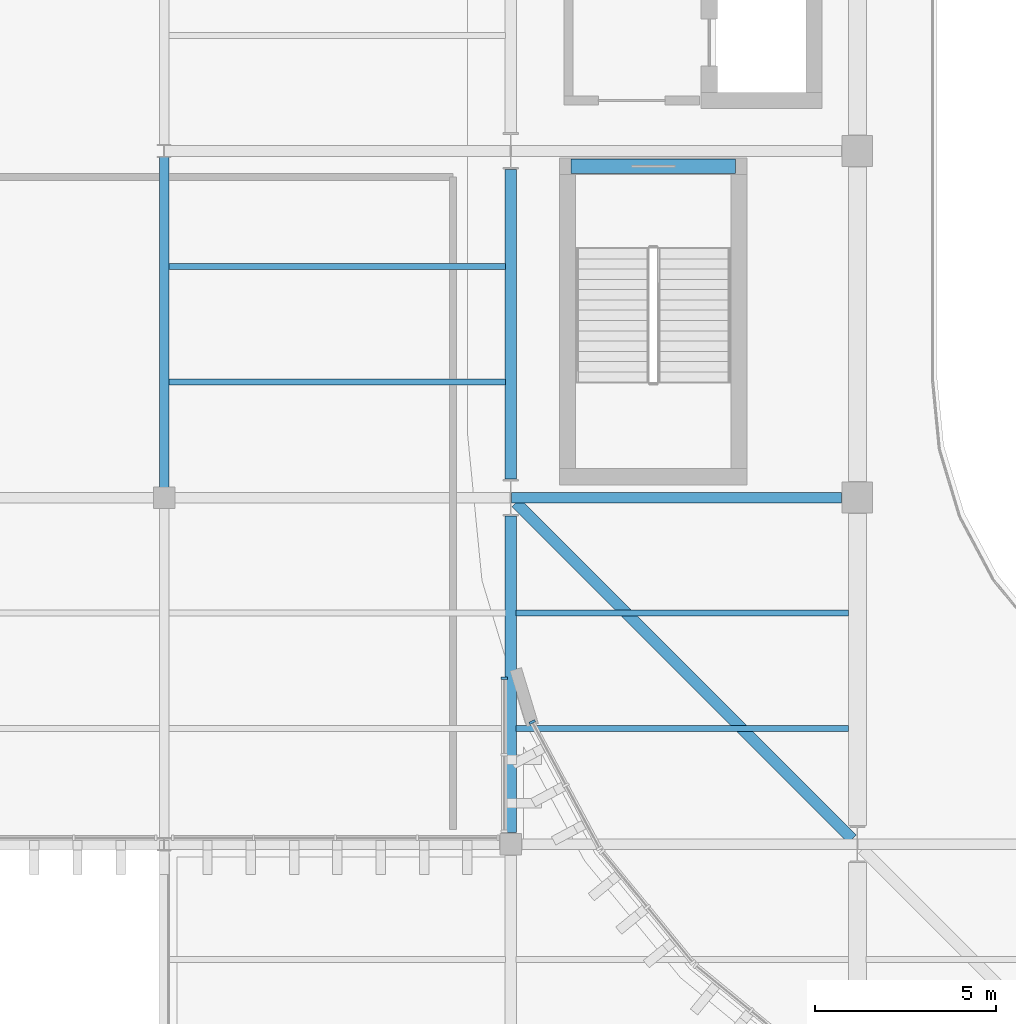
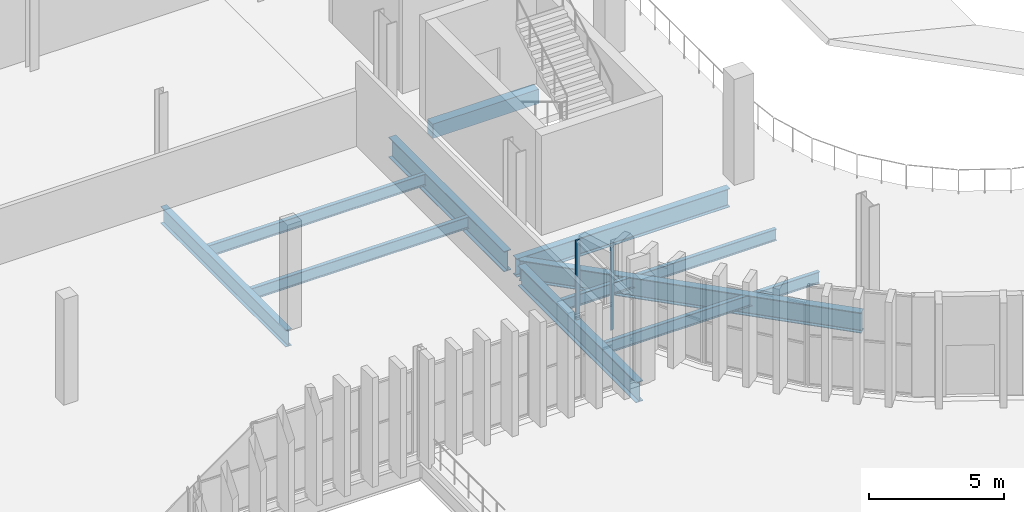
# One storey, part 19 of 99: 10 beams, 2 members, 2 elements without a shape of their own.
"""IFC4 building model written with IfcOpenShell, lengths in metres."""

from ifc_helpers import new_model, si_unit, direction, frame, origin, origin_2d, place, context, subcontext, project, spatial, rectangle, i_section, extrude, material, layer, layer_set, material_profile, profile_set, type_object, element, aggregate, save


model = new_model("IFC4")

# Units and contexts
model_context = context("Model", 3, precision=1e-05, world=origin(), true_north=direction((0.0, 1.0)))
body_context = subcontext(model_context, "Body", "Model", "MODEL_VIEW")
ifc_project = project(units=[si_unit("LENGTHUNIT", "METRE"), si_unit("AREAUNIT", "SQUARE_METRE"), si_unit("VOLUMEUNIT", "CUBIC_METRE"), si_unit("PLANEANGLEUNIT", "RADIAN"), si_unit("MASSUNIT", "GRAM", prefix="KILO")], contexts=[model_context])

# Site, building, storey
site_placement = place(None, origin())
site = spatial("IfcSite", under=ifc_project, at=site_placement, CompositionType="ELEMENT")
building_placement = place(site_placement, origin())
building = spatial("IfcBuilding", under=site, at=building_placement, Name="Caelomonte Colonnade Arena", CompositionType="ELEMENT")
storey_placement = place(building_placement, frame((0.0, 0.0, 4.800048828125)))
storey = spatial("IfcBuildingStorey", under=building, at=storey_placement, Name="L01", CompositionType="ELEMENT", Elevation=4.800048828125)

# Curtain wall, member
ifc_material_1 = material(Name="Bronze anodised aluminium and low-E glazing", Category="aluminium")
ifc_layer_1 = layer(ifc_material_1, 0.179931640625)
ifc_layer_set_1 = layer_set([ifc_layer_1], Name="Bronze anodised aluminium and low-E glazing")
curtain_wall_type_1 = type_object("IfcCurtainWallType", Name="ENV-CW-CW-L01-48-36", PredefinedType="USERDEFINED", material=ifc_layer_set_1)
curtain_wall_1_placement = place(storey_placement, origin())
curtain_wall_1 = element("IfcCurtainWall", 1, at=curtain_wall_1_placement, inside=storey, type_object=curtain_wall_type_1, Name="L01 unitized curtain wall CW-L01-0574-0312", ObjectType="UNITIZED CURTAIN WALL", PredefinedType="USERDEFINED")
ifc_material_2 = material(Name="Bronze anodised aluminium AA6063-T6", Category="aluminium")
ifc_material_profile_1 = material_profile(ifc_material_2, rectangle(XDim=0.070068359375, YDim=0.179931640625, at=origin_2d()), Name="CWM-70X180")
ifc_profile_set_1 = profile_set([ifc_material_profile_1], Name="Bronze anodised aluminium AA6063-T6")
member_type = type_object("IfcMemberType", Name="ENV-CW-MULL1", PredefinedType="MULLION", material=ifc_profile_set_1)
member_1_placement = place(storey_placement, frame((57.419921875, 33.400390625, 0.0), z_axis=(0.0, 0.0, 1.0), x_axis=(0.0, 1.0, 0.0)))
member_1 = element("IfcMember", 2, at=member_1_placement, type_object=member_type, Name="CW-L01-48-36 mullion 3", PredefinedType="MULLION", context=body_context, shape_type="SweptSolid", body=[
    extrude(rectangle(XDim=0.070068359375, YDim=0.179931640625, at=origin_2d()), origin(), (0.0, 0.0, 1.0), 3.593017578125),
])
aggregate(curtain_wall_1, [member_1])

ifc_layer_2 = layer(ifc_material_1, 0.179931640625)
ifc_layer_set_2 = layer_set([ifc_layer_2], Name="Bronze anodised aluminium and low-E glazing")
curtain_wall_type_2 = type_object("IfcCurtainWallType", Name="ENV-CW-CW-L01-44-38", PredefinedType="USERDEFINED", material=ifc_layer_set_2)
curtain_wall_2_placement = place(storey_placement, origin())
curtain_wall_2 = element("IfcCurtainWall", 3, at=curtain_wall_2_placement, inside=storey, type_object=curtain_wall_type_2, Name="L01 unitized curtain wall CW-L01-0591-0304", ObjectType="UNITIZED CURTAIN WALL", PredefinedType="USERDEFINED")
member_2_placement = place(storey_placement, frame((58.192626953125, 32.182373046875, 0.0), z_axis=(0.0, 0.0, 1.0), x_axis=(0.471394212466, -0.881922613642, 0.0)))
member_2 = element("IfcMember", 4, at=member_2_placement, type_object=member_type, Name="CW-L01-44-38 mullion 1", PredefinedType="MULLION", context=body_context, shape_type="SweptSolid", body=[
    extrude(rectangle(XDim=0.070068359375, YDim=0.179931640625, at=origin_2d()), origin(), (0.0, 0.0, 1.0), 3.758056640625),
])
aggregate(curtain_wall_2, [member_2])

# Beams
ifc_material_3 = material(Name="Wide-flange steel ASTM A992 Grade 50", Category="steel")
ifc_material_profile_2 = material_profile(ifc_material_3, i_section(OverallWidth=0.307861328125, OverallDepth=0.927001953125, WebThickness=0.019287109375, FlangeThickness=0.031982421875, FilletRadius=0.020263671875, at=origin_2d()), Name="W36X194")
ifc_profile_set_2 = profile_set([ifc_material_profile_2], Name="Wide-flange steel ASTM A992 Grade 50")
beam_type_1 = type_object("IfcBeamType", Name="STR-BM-EAVES2", PredefinedType="SPANDREL", material=ifc_profile_set_2)
beam_1_placement = place(storey_placement, frame((57.60009765625, 29.116943359375, -0.763427734375), z_axis=(0.0, 1.0, 0.0), x_axis=(-1.0, 0.0, 0.0)))
element("IfcBeam", 5, at=beam_1_placement, inside=storey, type_object=beam_type_1, Name="L01 girder BMY-L01-0576-0288", PredefinedType="SPANDREL", context=body_context, shape_type="SweptSolid", body=[
    extrude(i_section(OverallWidth=0.307861328125, OverallDepth=0.927001953125, WebThickness=0.019287109375, FlangeThickness=0.031982421875, FilletRadius=0.020263671875, at=origin_2d()), origin(), (0.0, 0.0, 1.0), 8.770263671875),
])
beam_2_placement = place(storey_placement, frame((57.60009765625, 38.91259765625, -0.763427734375), z_axis=(0.0, 1.0, 0.0), x_axis=(-1.0, 0.0, 0.0)))
element("IfcBeam", 6, at=beam_2_placement, inside=storey, type_object=beam_type_1, Name="L01 girder BMY-L01-0576-0384", PredefinedType="SPANDREL", context=body_context, shape_type="SweptSolid", body=[
    extrude(i_section(OverallWidth=0.307861328125, OverallDepth=0.927001953125, WebThickness=0.019287109375, FlangeThickness=0.031982421875, FilletRadius=0.020263671875, at=origin_2d()), origin(), (0.0, 0.0, 1.0), 8.57470703125),
])
beam_3_placement = place(storey_placement, frame((57.745361328125, 38.254638671875, -0.763427734375), z_axis=(0.707106781187, -0.707106781187, 0.0), x_axis=(0.707106781187, 0.707106781187, 0.0)))
element("IfcBeam", 7, at=beam_3_placement, inside=storey, type_object=beam_type_1, Name="L01 drum corner ring girder 1", PredefinedType="SPANDREL", context=body_context, shape_type="SweptSolid", body=[
    extrude(i_section(OverallWidth=0.307861328125, OverallDepth=0.927001953125, WebThickness=0.019287109375, FlangeThickness=0.031982421875, FilletRadius=0.020263671875, at=origin_2d()), origin(), (0.0, 0.0, 1.0), 13.165283203125),
])
ifc_material_profile_3 = material_profile(ifc_material_3, i_section(OverallWidth=0.2666015625, OverallDepth=0.761962890625, WebThickness=0.014404296875, FlangeThickness=0.021484375, FilletRadius=0.0166015625, at=origin_2d()), Name="W30X116")
ifc_profile_set_3 = profile_set([ifc_material_profile_3], Name="Wide-flange steel ASTM A992 Grade 50")
beam_type_2 = type_object("IfcBeamType", Name="STR-BM-GIRD30", PredefinedType="BEAM", material=ifc_profile_set_3)
beam_4_placement = place(storey_placement, frame((48.0, 38.54443359375, -0.68115234375), z_axis=(0.0, 1.0, 0.0), x_axis=(-1.0, 0.0, 0.0)))
element("IfcBeam", 8, at=beam_4_placement, inside=storey, type_object=beam_type_2, Name="L01 girder BMY-L01-0480-0384", PredefinedType="BEAM", context=body_context, shape_type="SweptSolid", body=[
    extrude(i_section(OverallWidth=0.2666015625, OverallDepth=0.761962890625, WebThickness=0.014404296875, FlangeThickness=0.021484375, FilletRadius=0.0166015625, at=origin_2d()), origin(), (0.0, 0.0, 1.0), 9.285400390625),
])
ifc_material_profile_4 = material_profile(ifc_material_3, i_section(OverallWidth=0.2919921875, OverallDepth=0.835693359375, WebThickness=0.013916015625, FlangeThickness=0.018798828125, FilletRadius=0.017822265625, at=origin_2d()), Name="W33X118")
ifc_profile_set_4 = profile_set([ifc_material_profile_4], Name="Wide-flange steel ASTM A992 Grade 50")
beam_type_3 = type_object("IfcBeamType", Name="STR-BM-GIRD33B", PredefinedType="BEAM", material=ifc_profile_set_4)
beam_5_placement = place(storey_placement, frame((57.615478515625, 38.39990234375, -0.7177734375), z_axis=(1.0, 0.0, 0.0), x_axis=(0.0, 1.0, 0.0)))
element("IfcBeam", 9, at=beam_5_placement, inside=storey, type_object=beam_type_3, Name="L01 girder BMX-L01-0576-0384", PredefinedType="BEAM", context=body_context, shape_type="SweptSolid", body=[
    extrude(i_section(OverallWidth=0.2919921875, OverallDepth=0.835693359375, WebThickness=0.013916015625, FlangeThickness=0.018798828125, FilletRadius=0.017822265625, at=origin_2d()), origin(), (0.0, 0.0, 1.0), 9.142578125),
])
ifc_material_profile_5 = material_profile(ifc_material_3, i_section(OverallWidth=0.166015625, OverallDepth=0.5283203125, WebThickness=0.009765625, FlangeThickness=0.013671875, FilletRadius=0.0126953125, at=origin_2d()), Name="W21X50")
ifc_profile_set_5 = profile_set([ifc_material_profile_5], Name="Wide-flange steel ASTM A992 Grade 50")
beam_type_4 = type_object("IfcBeamType", Name="STR-BM-JOIST21B", PredefinedType="JOIST", material=ifc_profile_set_5)
for number, where, z_axis, x_axis, name in (
    (10, (48.12841796875, 41.60009765625, -0.564208984375), (1.0, 0.0, 0.0), (0.0, 1.0, 0.0), "L01 secondary joist 1"),
    (11, (48.12841796875, 44.800048828125, -0.564208984375), (1.0, 0.0, 0.0), (0.0, 1.0, 0.0), "L01 secondary joist 2"),
):
    element("IfcBeam", number, at=place(storey_placement, frame(where, z_axis=z_axis, x_axis=x_axis)), inside=storey, type_object=beam_type_4, Name=name, PredefinedType="JOIST", context=body_context, shape_type="SweptSolid", body=[
        extrude(i_section(OverallWidth=0.166015625, OverallDepth=0.5283203125, WebThickness=0.009765625, FlangeThickness=0.013671875, FilletRadius=0.0126953125, at=origin_2d()), origin(), (0.0, 0.0, 1.0), 9.32275390625),
    ])
for number, where, z_axis, x_axis, name in (
    (12, (57.748779296875, 32.0, -0.564208984375), (1.0, 0.0, 0.0), (0.0, 1.0, 0.0), "L01 secondary joist 1"),
    (13, (57.748779296875, 35.199951171875, -0.564208984375), (1.0, 0.0, 0.0), (0.0, 1.0, 0.0), "L01 secondary joist 2"),
):
    element("IfcBeam", number, at=place(storey_placement, frame(where, z_axis=z_axis, x_axis=x_axis)), inside=storey, type_object=beam_type_4, Name=name, PredefinedType="JOIST", context=body_context, shape_type="SweptSolid", body=[
        extrude(i_section(OverallWidth=0.166015625, OverallDepth=0.5283203125, WebThickness=0.009765625, FlangeThickness=0.013671875, FilletRadius=0.0126953125, at=origin_2d()), origin(), (0.0, 0.0, 1.0), 9.206298828125),
    ])
ifc_material_4 = material(Name="Concrete C40/50", Category="concrete")
ifc_material_profile_6 = material_profile(ifc_material_4, rectangle(XDim=0.39990234375, YDim=0.64990234375, at=origin_2d()), Name="RC400X650")
ifc_profile_set_6 = profile_set([ifc_material_profile_6], Name="Concrete C40/50")
beam_type_5 = type_object("IfcBeamType", Name="STR-BM-LINT40", PredefinedType="LINTEL", material=ifc_profile_set_6)
beam_6_placement = place(storey_placement, frame((59.27490234375, 47.574951171875, -0.625), z_axis=(1.0, 0.0, 0.0), x_axis=(0.0, 1.0, 0.0)))
element("IfcBeam", 14, at=beam_6_placement, inside=storey, type_object=beam_type_5, Name="Core C1 L01 coupling lintel beam", PredefinedType="LINTEL", context=body_context, shape_type="SweptSolid", body=[
    extrude(rectangle(XDim=0.39990234375, YDim=0.64990234375, at=origin_2d()), origin(), (0.0, 0.0, 1.0), 4.550048828125),
])

save(model, "model.ifc")
